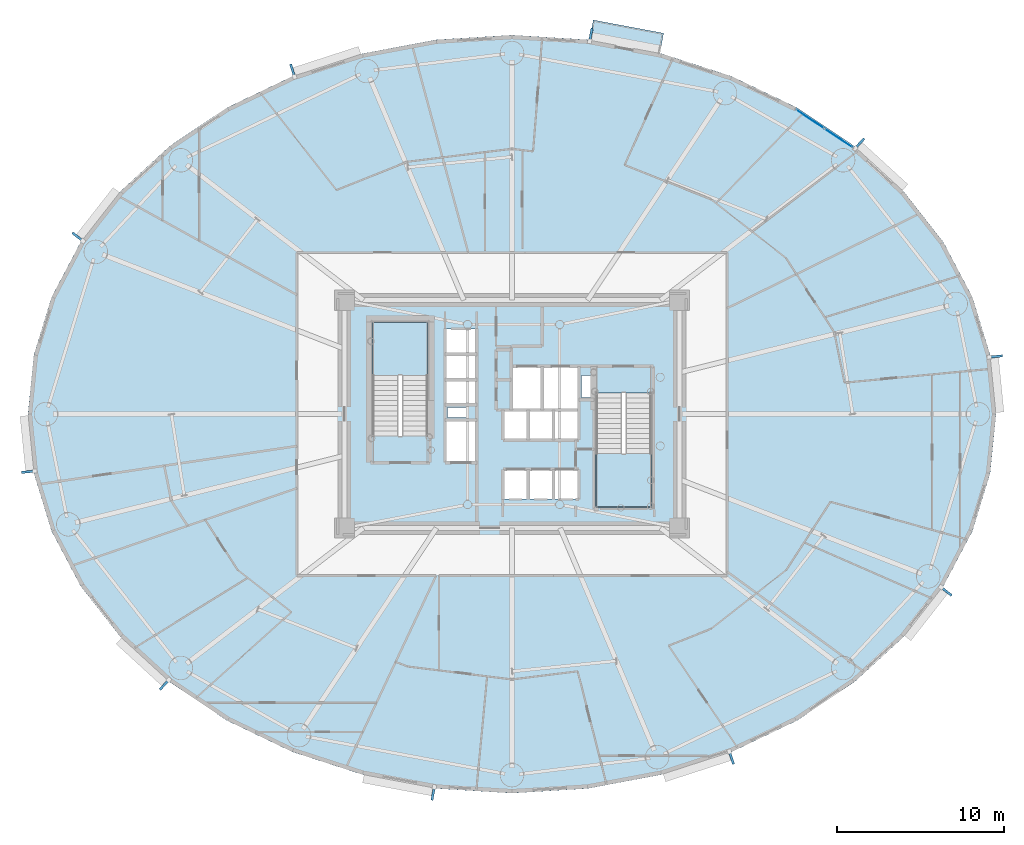
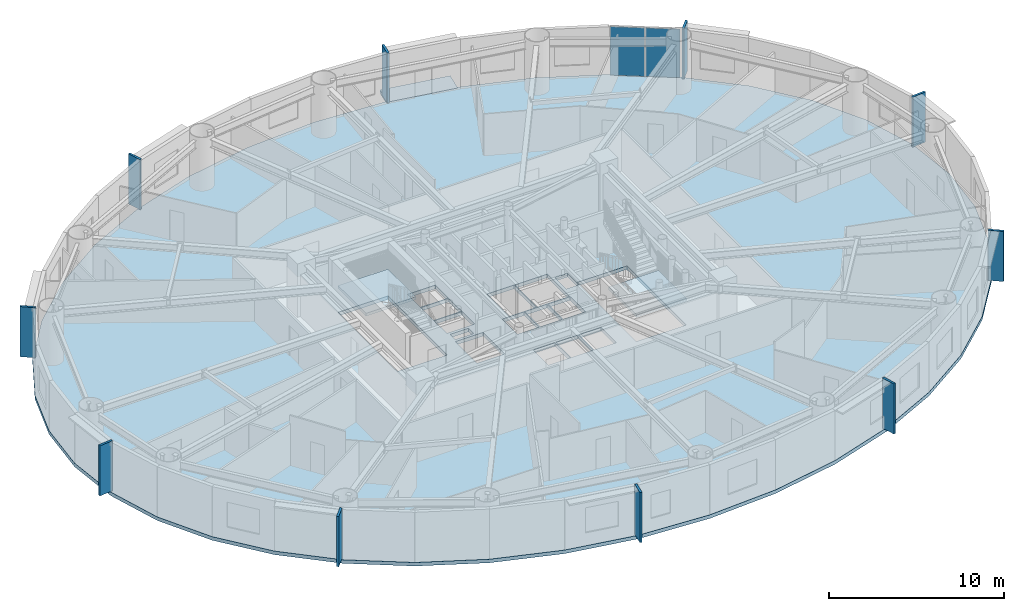
# One storey, part 8 of 21: 12 plates, 4 slabs, 3 elements without a shape of their own.
"""IFC4 building model written with IfcOpenShell, lengths in metres."""

import ifcopenshell
import ifcopenshell.guid

model = None  # the IFC model being written
_history = None  # IfcOwnerHistory: only IFC2X3 demands one
_inside = {}  # id of a spatial element -> (the spatial element, [elements in it])
_under = {}  # id of a project, library or spatial element -> (it, [spatial elements below it])
_declared = {}  # id of a project -> (the project, [libraries it declares])
_typed = {}  # id of a type object -> (the type object, [elements of that type])
_made_of = {}  # id of a material, layer set ... -> (it, [elements and type objects made of it])


def new_model(schema):
    """Start an empty IFC model of exactly this schema.

    Asked for "IFC4X3", IfcOpenShell would pick the latest addendum, in which some entities
    have other attributes; the version numbers below select the first issue.
    IFC2X3 requires an IfcOwnerHistory on every rooted entity: one is made here for all.
    """
    global model, _history
    if schema == "IFC4X3":
        model = ifcopenshell.file(schema_version=(4, 3, 0, 0))
    else:
        model = ifcopenshell.file(schema=schema)
    _inside.clear()
    _under.clear()
    _declared.clear()
    _typed.clear()
    _made_of.clear()
    _history = None
    if model.schema == "IFC2X3":
        org = make("IfcOrganization", Name="unknown")
        user = make(
            "IfcPersonAndOrganization",
            ThePerson=make("IfcPerson", FamilyName="unknown"),
            TheOrganization=org,
        )
        app = make(
            "IfcApplication",
            ApplicationDeveloper=org,
            Version="unknown",
            ApplicationFullName="unknown",
            ApplicationIdentifier="unknown",
        )
        _history = make(
            "IfcOwnerHistory",
            OwningUser=user,
            OwningApplication=app,
            ChangeAction="ADDED",
            CreationDate=0,
        )
    return model


def make(cls, **values):
    """One entity of the class cls with the attributes given. An attribute that is None is left unset."""
    return model.create_entity(
        cls, **{name: value for name, value in values.items() if value is not None}
    )


def rooted(cls, **values):
    """An entity with a GlobalId (a new one), such as an element, a storey or a relation."""
    return make(cls, GlobalId=ifcopenshell.guid.new(), OwnerHistory=_history, **values)


def si_unit(unit_type, name, prefix=None):
    """IfcSIUnit, for example si_unit("LENGTHUNIT", "METRE", prefix="MILLI")."""
    return make("IfcSIUnit", UnitType=unit_type, Prefix=prefix, Name=name)


def assignment(units):
    """IfcUnitAssignment: the units of a project."""
    return None if units is None else make("IfcUnitAssignment", Units=units)


def point(xyz):
    """IfcCartesianPoint."""
    return None if xyz is None else make("IfcCartesianPoint", Coordinates=xyz)


def direction(xyz):
    """IfcDirection."""
    return None if xyz is None else make("IfcDirection", DirectionRatios=xyz)


def frame(location, z_axis=None, x_axis=None):
    """IfcAxis2Placement3D, a coordinate frame: its origin and axes. An axis left out is left unset."""
    return make(
        "IfcAxis2Placement3D",
        Location=point(location),
        Axis=direction(z_axis),
        RefDirection=direction(x_axis),
    )


def frame_2d(location, x_axis=None):
    """IfcAxis2Placement2D, a coordinate frame in the plane: its origin and x axis."""
    return make(
        "IfcAxis2Placement2D", Location=point(location), RefDirection=direction(x_axis)
    )


def origin():
    """The frame at (0, 0, 0) with its axes left unset."""
    return frame((0.0, 0.0, 0.0))


def origin_2d():
    """The frame at (0, 0) in the plane with its x axis left unset."""
    return frame_2d((0.0, 0.0))


def place(relative_to, where):
    """IfcLocalPlacement: puts the frame where relative to a parent placement (None: the world)."""
    return make(
        "IfcLocalPlacement", PlacementRelTo=relative_to, RelativePlacement=where
    )


def context(
    kind, dimensions, precision=None, world=None, true_north=None, identifier=None
):
    """IfcGeometricRepresentationContext, for example the 3D "Model" context."""
    return make(
        "IfcGeometricRepresentationContext",
        ContextIdentifier=identifier,
        ContextType=kind,
        CoordinateSpaceDimension=dimensions,
        Precision=precision,
        WorldCoordinateSystem=world,
        TrueNorth=true_north,
    )


def subcontext(parent, identifier, kind, view, scale=None):
    """IfcGeometricRepresentationSubContext, for example "Body" below "Model"."""
    return make(
        "IfcGeometricRepresentationSubContext",
        ContextIdentifier=identifier,
        ContextType=kind,
        ParentContext=parent,
        TargetScale=scale,
        TargetView=view,
    )


def project(units=None, contexts=None):
    """IfcProject with its units and contexts."""
    return rooted(
        "IfcProject",
        Name="project",
        RepresentationContexts=contexts,
        UnitsInContext=assignment(units),
    )


def spatial(cls, under=None, at=None, **own):
    """A site, building, storey or space (cls), placed at a placement, below another one or the project."""
    s = rooted(cls, ObjectPlacement=at, **own)
    if under is not None:
        _under.setdefault(under.id(), (under, []))[1].append(s)
    return s


def polyline(points):
    """IfcPolyline through the points."""
    return make("IfcPolyline", Points=[point(p) for p in points])


def profile(cls, at=None, kind="AREA", **sizes):
    """A parametric profile (cls). Its sizes go by their IFC names, for example OverallWidth=200.0."""
    return make(cls, ProfileType=kind, Position=at, **sizes)


def rectangle(**sizes):
    """IfcRectangleProfileDef."""
    return profile("IfcRectangleProfileDef", **sizes)


def outline(outer, holes=None, kind="AREA"):
    """IfcArbitraryClosedProfileDef: a profile drawn as a closed curve; with holes, ...WithVoids."""
    if holes is None:
        return make("IfcArbitraryClosedProfileDef", ProfileType=kind, OuterCurve=outer)
    return make(
        "IfcArbitraryProfileDefWithVoids",
        ProfileType=kind,
        OuterCurve=outer,
        InnerCurves=holes,
    )


def extrude(swept, where, along, depth):
    """IfcExtrudedAreaSolid: the profile swept, set in the frame where, extruded along a direction by depth."""
    return make(
        "IfcExtrudedAreaSolid",
        SweptArea=swept,
        Position=where,
        ExtrudedDirection=direction(along),
        Depth=depth,
    )


def shape(context_of_items, identifier, shape_type, items):
    """IfcShapeRepresentation: the items that make up one representation, for example the "Body"."""
    return make(
        "IfcShapeRepresentation",
        ContextOfItems=context_of_items,
        RepresentationIdentifier=identifier,
        RepresentationType=shape_type,
        Items=items,
    )


def source(mapping_origin, context_of_items, identifier, shape_type, items):
    """IfcRepresentationMap: a shape defined once, which mapped items show again and again."""
    return make(
        "IfcRepresentationMap",
        MappingOrigin=mapping_origin,
        MappedRepresentation=shape(context_of_items, identifier, shape_type, items),
    )


def transform(
    local_origin,
    x_axis=None,
    y_axis=None,
    z_axis=None,
    scale=None,
    scale2=None,
    scale3=None,
    uniform=True,
):
    """IfcCartesianTransformationOperator3D, or its non-uniform kind. x_axis, y_axis, z_axis: its Axis1, 2, 3."""
    if uniform:
        return make(
            "IfcCartesianTransformationOperator3D",
            Axis1=direction(x_axis),
            Axis2=direction(y_axis),
            LocalOrigin=point(local_origin),
            Scale=scale,
            Axis3=direction(z_axis),
        )
    return make(
        "IfcCartesianTransformationOperator3DnonUniform",
        Axis1=direction(x_axis),
        Axis2=direction(y_axis),
        LocalOrigin=point(local_origin),
        Scale=scale,
        Axis3=direction(z_axis),
        Scale2=scale2,
        Scale3=scale3,
    )


def mapped(mapping_source, mapping_target):
    """IfcMappedItem: shows the shape of a source again, moved by a transform."""
    return make(
        "IfcMappedItem", MappingSource=mapping_source, MappingTarget=mapping_target
    )


def material(Name=None, Category=None):
    """IfcMaterial."""
    return make("IfcMaterial", Name=Name, Category=Category)


def layer(
    of_material, thickness, ventilated=None, Name=None, Category=None, Priority=None
):
    """IfcMaterialLayer: one layer of a wall or slab, of a material (None: an air gap)."""
    return make(
        "IfcMaterialLayer",
        Material=of_material,
        LayerThickness=thickness,
        IsVentilated=ventilated,
        Name=Name,
        Category=Category,
        Priority=Priority,
    )


def layer_set(layers, Name=None):
    """IfcMaterialLayerSet."""
    return make("IfcMaterialLayerSet", MaterialLayers=layers, LayerSetName=Name)


def made_of(thing, what):
    """Note that an element or type object is made of a material, layer set ...; save() writes the relation."""
    if what is not None:
        _made_of.setdefault(what.id(), (what, []))[1].append(thing)
    return thing


def type_object(cls, material=None, **own):
    """A type object (cls), such as IfcWallType, which elements share."""
    return made_of(rooted(cls, **own), material)


def element(
    cls,
    number,
    at=None,
    inside=None,
    cuts=None,
    type_object=None,
    material=None,
    context=None,
    identifier="Body",
    shape_type=None,
    held_by="IfcProductDefinitionShape",
    body=None,
    shapes=None,
    **own,
):
    """One element of the class cls, such as IfcWall. Its Tag is "e" and its number.

    at: its placement. inside: the storey or other place that contains it. cuts: it is an
    opening in that element (IfcRelVoidsElement). A single representation is given by context,
    identifier, shape_type and body (its items); several are given by shapes. held_by: the class
    of the entity that holds the representations. save() writes the other relations.
    """
    e = rooted(cls, Tag="e%d" % number, ObjectPlacement=at, **own)
    if body is not None:
        shapes = [shape(context, identifier, shape_type, body)]
    if shapes is not None:
        e.Representation = make(held_by, Representations=shapes)
    if inside is not None:
        _inside.setdefault(inside.id(), (inside, []))[1].append(e)
    if cuts is not None:
        rooted(
            "IfcRelVoidsElement", RelatingBuildingElement=cuts, RelatedOpeningElement=e
        )
    if type_object is not None:
        _typed.setdefault(type_object.id(), (type_object, []))[1].append(e)
    return made_of(e, material)


def aggregate(whole, parts):
    """IfcRelAggregates: a whole, such as a stair, and the parts it consists of."""
    return rooted("IfcRelAggregates", RelatingObject=whole, RelatedObjects=parts)


def save(model, path):
    """Write the relations noted so far, then the file.

    IfcRelAggregates (storeys below a building ...), IfcRelContainedInSpatialStructure (elements
    in a storey), IfcRelDefinesByType, IfcRelAssociatesMaterial and IfcRelDeclares: one each for
    every whole, place, type object, material and project.
    """
    for whole, parts in _under.values():
        aggregate(whole, parts)
    for where, things in _inside.values():
        rooted(
            "IfcRelContainedInSpatialStructure",
            RelatedElements=things,
            RelatingStructure=where,
        )
    for kind, things in _typed.values():
        rooted("IfcRelDefinesByType", RelatedObjects=things, RelatingType=kind)
    for what, things in _made_of.values():
        rooted("IfcRelAssociatesMaterial", RelatedObjects=things, RelatingMaterial=what)
    for by, libraries in _declared.values():
        rooted("IfcRelDeclares", RelatingContext=by, RelatedDefinitions=libraries)
    model.write(path)


model = new_model("IFC4")

# Units and contexts
model_context = context("Model", 3, precision=1e-05, world=origin(), true_north=direction((0.0, 1.0)))
body_context = subcontext(model_context, "Body", "Model", "MODEL_VIEW")
ifc_project = project(units=[si_unit("LENGTHUNIT", "METRE"), si_unit("AREAUNIT", "SQUARE_METRE"), si_unit("VOLUMEUNIT", "CUBIC_METRE"), si_unit("PLANEANGLEUNIT", "RADIAN"), si_unit("MASSUNIT", "GRAM", prefix="KILO")], contexts=[model_context])

# Site, building, storey
site_placement = place(None, origin())
site = spatial("IfcSite", under=ifc_project, at=site_placement, CompositionType="ELEMENT")
building_placement = place(site_placement, origin())
building = spatial("IfcBuilding", under=site, at=building_placement, Name="Linh Dai School and Residence Tower", CompositionType="ELEMENT")
storey_placement = place(building_placement, frame((0.0, 0.0, 134.699951171875)))
storey = spatial("IfcBuildingStorey", under=building, at=storey_placement, Name="L32", CompositionType="ELEMENT", Elevation=134.699951171875)

# Slabs
ifc_material_1 = material(Name="Concrete B45 (C35/45)", Category="concrete")
ifc_layer_1 = layer(ifc_material_1, 0.219970703125)
ifc_layer_set_1 = layer_set([ifc_layer_1], Name="Concrete B45 (C35/45)")
slab_type_1 = type_object("IfcSlabType", Name="SLB-BALC-220", PredefinedType="FLOOR", material=ifc_layer_set_1)
slab_1_placement = place(storey_placement, frame((0.0, 0.0, -0.219970703125)))
element("IfcSlab", 1, at=slab_1_placement, inside=storey, type_object=slab_type_1, Name="L32 Sliding Balcony Slab 09", PredefinedType="FLOOR", context=body_context, shape_type="SweptSolid", body=[
    extrude(outline(polyline([(40.612060546875, 49.253173828125), (44.809814453125, 48.4638671875), (45.050048828125, 49.74169921875), (40.852294921875, 50.53076171875), (40.612060546875, 49.253173828125)])), origin(), (0.0, 0.0, 1.0), 0.219970703125),
])
ifc_layer_2 = layer(ifc_material_1, 0.25)
ifc_layer_set_2 = layer_set([ifc_layer_2], Name="Concrete B45 (C35/45)")
slab_type_2 = type_object("IfcSlabType", Name="SLB-FLR250", PredefinedType="FLOOR", material=ifc_layer_set_2)
slab_2_placement = place(storey_placement, frame((0.0, 0.0, -0.25)))
element("IfcSlab", 2, at=slab_2_placement, inside=storey, type_object=slab_type_2, Name="L32 Composite Structural Floor Slab", PredefinedType="FLOOR", context=body_context, shape_type="SweptSolid", body=[
    extrude(outline(polyline([(64.89990234375, 27.0), (64.544189453125, 30.5400390625), (63.485595703125, 33.9931640625), (61.75, 37.27392578125), (59.380615234375, 40.301513671875), (56.435302734375, 43.001708984375), (52.987060546875, 45.30810546875), (49.120361328125, 47.16357421875), (44.9306640625, 48.5224609375), (40.52099609375, 49.351318359375), (36.0, 49.6298828125), (31.47900390625, 49.351318359375), (27.0693359375, 48.5224609375), (22.879638671875, 47.16357421875), (19.012939453125, 45.30810546875), (15.564697265625, 43.001708984375), (12.619384765625, 40.301513671875), (10.25, 37.27392578125), (8.514404296875, 33.9931640625), (7.455810546875, 30.5400390625), (7.10009765625, 27.0), (7.455810546875, 23.4599609375), (8.514404296875, 20.0068359375), (10.25, 16.72607421875), (12.619384765625, 13.698486328125), (15.564697265625, 10.998291015625), (19.012939453125, 8.69189453125), (22.879638671875, 6.83642578125), (27.0693359375, 5.4775390625), (31.47900390625, 4.648681640625), (36.0, 4.3701171875), (40.52099609375, 4.648681640625), (44.9306640625, 5.4775390625), (49.120361328125, 6.83642578125), (52.987060546875, 8.69189453125), (56.435302734375, 10.998291015625), (59.380615234375, 13.698486328125), (61.75, 16.72607421875), (63.485595703125, 20.0068359375), (64.544189453125, 23.4599609375), (64.89990234375, 27.0)]), holes=[polyline([(30.97998046875, 25.699951171875), (30.97998046875, 32.5), (27.679931640625, 32.5), (27.679931640625, 25.699951171875), (30.97998046875, 25.699951171875)]), polyline([(41.02001953125, 28.25), (41.02001953125, 21.449951171875), (44.320068359375, 21.449951171875), (44.320068359375, 28.25), (41.02001953125, 28.25)]), polyline([(35.97998046875, 27.280029296875), (37.77001953125, 27.280029296875), (37.77001953125, 29.820068359375), (35.97998046875, 29.820068359375), (35.97998046875, 27.280029296875)]), polyline([(32.030029296875, 24.1298828125), (33.8701171875, 24.1298828125), (33.8701171875, 26.6201171875), (32.030029296875, 26.6201171875), (32.030029296875, 24.1298828125)]), polyline([(37.830078125, 27.280029296875), (39.969970703125, 27.280029296875), (39.969970703125, 29.820068359375), (37.830078125, 29.820068359375), (37.830078125, 27.280029296875)]), polyline([(35.47998046875, 21.929931640625), (36.929931640625, 21.929931640625), (36.929931640625, 23.669921875), (35.47998046875, 23.669921875), (35.47998046875, 21.929931640625)]), polyline([(36.989990234375, 21.929931640625), (38.449951171875, 21.929931640625), (38.449951171875, 23.669921875), (36.989990234375, 23.669921875), (36.989990234375, 21.929931640625)]), polyline([(38.510009765625, 21.929931640625), (39.969970703125, 21.929931640625), (39.969970703125, 23.669921875), (38.510009765625, 23.669921875), (38.510009765625, 21.929931640625)]), polyline([(32.030029296875, 27.580078125), (33.8701171875, 27.580078125), (33.8701171875, 29.030029296875), (32.030029296875, 29.030029296875), (32.030029296875, 27.580078125)]), polyline([(32.030029296875, 29.090087890625), (33.8701171875, 29.090087890625), (33.8701171875, 30.550048828125), (32.030029296875, 30.550048828125), (32.030029296875, 29.090087890625)]), polyline([(32.030029296875, 30.610107421875), (33.8701171875, 30.610107421875), (33.8701171875, 32.070068359375), (32.030029296875, 32.070068359375), (32.030029296875, 30.610107421875)]), polyline([(35.47998046875, 25.47998046875), (36.929931640625, 25.47998046875), (36.929931640625, 27.219970703125), (35.47998046875, 27.219970703125), (35.47998046875, 25.47998046875)]), polyline([(36.989990234375, 25.47998046875), (38.449951171875, 25.47998046875), (38.449951171875, 27.219970703125), (36.989990234375, 27.219970703125), (36.989990234375, 25.47998046875)]), polyline([(38.510009765625, 25.47998046875), (39.969970703125, 25.47998046875), (39.969970703125, 27.219970703125), (38.510009765625, 27.219970703125), (38.510009765625, 25.47998046875)]), polyline([(40.14990234375, 28.0), (40.14990234375, 29.300048828125), (41.0, 29.300048828125), (41.0, 28.280029296875), (40.989990234375, 28.280029296875), (40.989990234375, 28.0), (40.14990234375, 28.0)]), polyline([(32.14990234375, 26.800048828125), (33.35009765625, 26.800048828125), (33.35009765625, 27.39990234375), (32.14990234375, 27.39990234375), (32.14990234375, 26.800048828125)])]), origin(), (0.0, 0.0, 1.0), 0.25),
])

# Stair, slab
stair_type = type_object("IfcStairType", Name="ST-DOG-1550-R1442", PredefinedType="HALF_TURN_STAIR", material=ifc_material_1)
stair_1_placement = place(storey_placement, origin())
stair_1 = element("IfcStair", 3, at=stair_1_placement, inside=storey, type_object=stair_type, Name="L32 Core Smokeproof Exit Stair ST1", PredefinedType="HALF_TURN_STAIR")
ifc_layer_3 = layer(ifc_material_1, 0.199951171875)
ifc_layer_set_3 = layer_set([ifc_layer_3], Name="Concrete B45 (C35/45)")
slab_type_3 = type_object("IfcSlabType", Name="SLB-ST-LANDING-200", PredefinedType="LANDING", material=ifc_layer_set_3)
slab_3_placement = place(storey_placement, frame((0.0, 0.0, 1.675048828125)))
slab_3 = element("IfcSlab", 4, at=slab_3_placement, type_object=slab_type_3, Name="ST1 landing 1", PredefinedType="LANDING", context=body_context, shape_type="SweptSolid", body=[
    extrude(outline(polyline([(30.97998046875, 29.300048828125), (30.97998046875, 32.5), (27.679931640625, 32.5), (27.679931640625, 29.300048828125), (30.97998046875, 29.300048828125)])), origin(), (0.0, 0.0, 1.0), 0.199951171875),
])
aggregate(stair_1, [slab_3])

stair_2_placement = place(storey_placement, origin())
stair_2 = element("IfcStair", 5, at=stair_2_placement, inside=storey, type_object=stair_type, Name="L32 Core Smokeproof Exit Stair ST2", PredefinedType="HALF_TURN_STAIR")
slab_4_placement = place(storey_placement, frame((0.0, 0.0, 1.675048828125)))
slab_4 = element("IfcSlab", 6, at=slab_4_placement, type_object=slab_type_3, Name="ST2 landing 1", PredefinedType="LANDING", context=body_context, shape_type="SweptSolid", body=[
    extrude(outline(polyline([(41.02001953125, 24.64990234375), (41.02001953125, 21.449951171875), (44.320068359375, 21.449951171875), (44.320068359375, 24.64990234375), (41.02001953125, 24.64990234375)])), origin(), (0.0, 0.0, 1.0), 0.199951171875),
])
aggregate(stair_2, [slab_4])

# Plates
ifc_material_2 = material(Name="Precast Concrete B45 (C35/45)", Category="concrete")
ifc_layer_4 = layer(ifc_material_2, 0.139892578125)
ifc_layer_set_4 = layer_set([ifc_layer_4], Name="Precast Concrete B45 (C35/45)")
plate_type_1 = type_object("IfcPlateType", Name="FIN-TC-900x140", PredefinedType="USERDEFINED", material=ifc_layer_set_4)
shared_shape_1 = source(origin(), body_context, "Body", "SweptSolid", [
    extrude(rectangle(XDim=0.89990234375, YDim=0.139892578125, at=origin_2d()), origin(), (0.0, 0.0, 1.0), 3.5),
])
for number, where, z_axis, x_axis, name in (
    (7, (64.841552734375, 30.43701171875, 0.0), (0.0, 0.0, 1.0), (0.994986703684, 0.100007297192, 0.0), "L32 Precast Terracotta Radial Fin 01"),
    (8, (56.723876953125, 43.12451171875, 0.0), (0.0, 0.0, 1.0), (0.675783395482, 0.737100266172, 0.0), "L32 Precast Terracotta Radial Fin 05"),
    (9, (40.69921875, 49.608154296875, 0.0), (0.0, 0.0, 1.0), (0.18475466193, 0.982784673718, 0.0), "L32 Precast Terracotta Radial Fin 09"),
    (10, (22.91357421875, 47.474365234375, 0.0), (0.0, 0.0, 1.0), (-0.308522363457, 0.951217089442, 0.0), "L32 Precast Terracotta Radial Fin 13"),
    (11, (10.105712890625, 37.552734375, 0.0), (0.0, 0.0, 1.0), (-0.787507539838, 0.616305017583, 0.0), "L32 Precast Terracotta Radial Fin 17"),
    (12, (7.158447265625, 23.56298828125, 0.0), (0.0, 0.0, 1.0), (-0.994986703684, -0.100007297192, 0.0), "L32 Precast Terracotta Radial Fin 21"),
    (13, (15.276123046875, 10.87548828125, 0.0), (0.0, 0.0, 1.0), (-0.675783395482, -0.737100266172, 0.0), "L32 Precast Terracotta Radial Fin 25"),
    (14, (31.30078125, 4.391845703125, 0.0), (0.0, 0.0, 1.0), (-0.18475466193, -0.982784673718, 0.0), "L32 Precast Terracotta Radial Fin 29"),
    (15, (49.08642578125, 6.525634765625, 0.0), (0.0, 0.0, 1.0), (0.308522363457, -0.951217089442, 0.0), "L32 Precast Terracotta Radial Fin 33"),
    (16, (61.894287109375, 16.447265625, 0.0), (0.0, 0.0, 1.0), (0.787507539838, -0.616305017583, 0.0), "L32 Precast Terracotta Radial Fin 37"),
):
    element("IfcPlate", number, at=place(storey_placement, frame(where, z_axis=z_axis, x_axis=x_axis)), inside=storey, type_object=plate_type_1, Name=name, ObjectType="RADIAL FIN", PredefinedType="USERDEFINED", context=body_context, shape_type="MappedRepresentation", body=[
        mapped(shared_shape_1, transform((0.0, 0.0, 0.0), x_axis=(1.0, 0.0, 0.0), y_axis=(0.0, 1.0, 0.0), z_axis=(0.0, 0.0, 1.0), scale=1.0)),
    ])

# Curtain wall, plates
ifc_material_3 = material(Name="Aluminium Anodised Curtain Wall", Category="aluminium")
ifc_layer_5 = layer(ifc_material_3, 0.14990234375)
ifc_layer_set_5 = layer_set([ifc_layer_5], Name="Aluminium Anodised Curtain Wall")
curtain_wall_type = type_object("IfcCurtainWallType", Name="CW-SYS-4", PredefinedType="USERDEFINED", material=ifc_layer_set_5)
curtain_wall_placement = place(storey_placement, origin())
curtain_wall = element("IfcCurtainWall", 17, at=curtain_wall_placement, inside=storey, type_object=curtain_wall_type, Name="L32 CW4 Curtain Wall 06", ObjectType="RIBBON CURTAIN WALL", PredefinedType="USERDEFINED")
ifc_material_4 = material(Name="Double Low-E Insulated Glazing", Category="glass")
ifc_layer_6 = layer(ifc_material_4, 0.02587890625)
ifc_layer_set_6 = layer_set([ifc_layer_6], Name="Double Low-E Insulated Glazing")
plate_type_2 = type_object("IfcPlateType", Name="CW-SYS-4-PAN", PredefinedType="CURTAIN_PANEL", material=ifc_layer_set_6)
shared_shape_2 = source(origin(), body_context, "Body", "SweptSolid", [
    extrude(rectangle(XDim=1.987060546875, YDim=0.02587890625, at=origin_2d()), origin(), (0.0, 0.0, 1.0), 3.39599609375),
])
plate_1_placement = place(storey_placement, frame((53.794189453125, 44.6181640625, 0.052001953125), z_axis=(0.0, 0.0, 1.0), x_axis=(0.831240347736, -0.555913198527, 0.0)))
plate_1 = element("IfcPlate", 18, at=plate_1_placement, type_object=plate_type_2, Name="CW4 panel 1.1", PredefinedType="CURTAIN_PANEL", context=body_context, shape_type="MappedRepresentation", body=[
    mapped(shared_shape_2, transform((0.0, 0.0, 0.0), x_axis=(1.0, 0.0, 0.0), y_axis=(0.0, 1.0, 0.0), z_axis=(0.0, 0.0, 1.0), scale=1.0)),
])
plate_2_placement = place(storey_placement, frame((55.4892578125, 43.484619140625, 0.052001953125), z_axis=(0.0, 0.0, 1.0), x_axis=(0.831240347736, -0.555913198527, 0.0)))
plate_2 = element("IfcPlate", 19, at=plate_2_placement, type_object=plate_type_2, Name="CW4 panel 2.1", PredefinedType="CURTAIN_PANEL", context=body_context, shape_type="MappedRepresentation", body=[
    mapped(shared_shape_2, transform((0.0, 0.0, 0.0), x_axis=(1.0, 0.0, 0.0), y_axis=(0.0, 1.0, 0.0), z_axis=(0.0, 0.0, 1.0), scale=1.0)),
])
aggregate(curtain_wall, [plate_1, plate_2])

save(model, "model.ifc")
